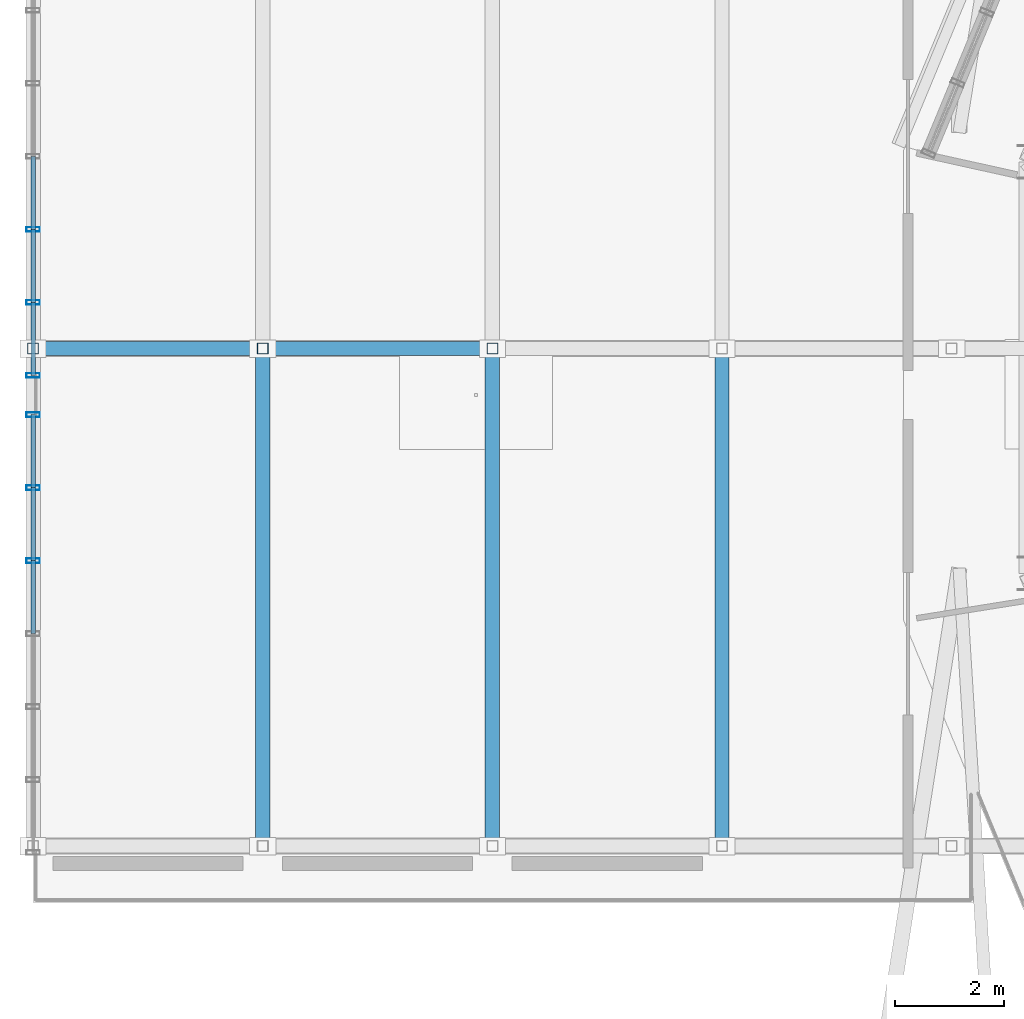
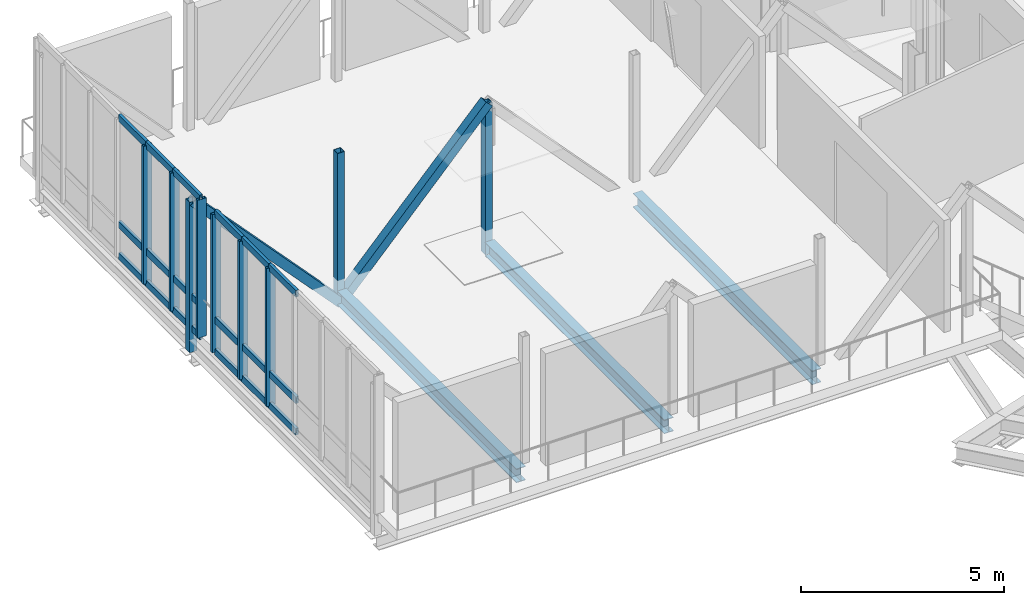
# One storey, part 48 of 139: 29 members, 3 beams, 2 elements without a shape of their own.
"""IFC4 building model written with IfcOpenShell, lengths in metres."""

from ifc_helpers import new_model, si_unit, derived_unit, direction, frame, origin, origin_2d, place, context, subcontext, project, spatial, hollow_rectangle, i_section, extrude, material, layer, layer_set, material_profile, profile_set, type_object, element, aggregate, save


model = new_model("IFC4")

# Units and contexts
model_context = context("Model", 3, precision=1e-05, world=origin(), true_north=direction((0.0, 1.0)))
body_context = subcontext(model_context, "Body", "Model", "MODEL_VIEW")
ifc_project = project(units=[si_unit("LENGTHUNIT", "METRE"), si_unit("AREAUNIT", "SQUARE_METRE"), si_unit("VOLUMEUNIT", "CUBIC_METRE"), si_unit("PLANEANGLEUNIT", "RADIAN"), si_unit("MASSUNIT", "GRAM", prefix="KILO"), derived_unit("THERMALTRANSMITTANCEUNIT", [(si_unit("MASSUNIT", "GRAM", prefix="KILO"), 1), (si_unit("TIMEUNIT", "SECOND"), -3), (si_unit("THERMODYNAMICTEMPERATUREUNIT", "KELVIN"), -1)])], contexts=[model_context])

# Site, building, storey
site_placement = place(None, origin())
site = spatial("IfcSite", under=ifc_project, at=site_placement, CompositionType="ELEMENT")
building_placement = place(site_placement, origin())
building = spatial("IfcBuilding", under=site, at=building_placement, Name="Makaiwela Harbour Ferry Terminal", CompositionType="ELEMENT")
storey_placement = place(building_placement, frame((0.0, 0.0, 5.10009765625)))
storey = spatial("IfcBuildingStorey", under=building, at=storey_placement, Name="L01", CompositionType="ELEMENT", Elevation=5.10009765625)

# Curtain wall, members
ifc_material_1 = material(Name="Marine anodised aluminium 6063-T6", Category="aluminium")
ifc_layer = layer(ifc_material_1, 0.199951171875)
ifc_layer_set = layer_set([ifc_layer], Name="Marine anodised aluminium 6063-T6")
curtain_wall_type = type_object("IfcCurtainWallType", Name="ENV-CW-22", PredefinedType="USERDEFINED", material=ifc_layer_set)
curtain_wall_1_placement = place(storey_placement, origin())
curtain_wall_1 = element("IfcCurtainWall", 1, at=curtain_wall_1_placement, inside=storey, type_object=curtain_wall_type, Name="Unitised Curtain Wall CWA-136", ObjectType="UNITIZED CURTAIN WALL", PredefinedType="USERDEFINED")
ifc_material_profile_1 = material_profile(ifc_material_1, hollow_rectangle(XDim=0.0849609375, YDim=0.25, WallThickness=0.0048828125, at=origin_2d()), Name="CWM-250X85")
ifc_profile_set_1 = profile_set([ifc_material_profile_1], Name="Marine anodised aluminium 6063-T6")
member_type_1 = type_object("IfcMemberType", Name="CW-MUL-250", PredefinedType="MULLION", material=ifc_profile_set_1)
member_1_placement = place(storey_placement, frame((0.0, 64.570068359375, 0.0), z_axis=(0.0, 0.0, 1.0), x_axis=(0.0, 1.0, 0.0)))
member_1 = element("IfcMember", 2, at=member_1_placement, type_object=member_type_1, Name="Curtain Wall Mullion CWA-136-5", PredefinedType="MULLION", context=body_context, shape_type="SweptSolid", body=[
    extrude(hollow_rectangle(XDim=0.0849609375, YDim=0.25, WallThickness=0.0048828125, at=origin_2d()), origin(), (0.0, 0.0, 1.0), 4.14990234375),
])
member_2_placement = place(storey_placement, frame((0.0, 65.905029296875, 0.0), z_axis=(0.0, 0.0, 1.0), x_axis=(0.0, 1.0, 0.0)))
member_2 = element("IfcMember", 3, at=member_2_placement, type_object=member_type_1, Name="Curtain Wall Mullion CWA-136-6", PredefinedType="MULLION", context=body_context, shape_type="SweptSolid", body=[
    extrude(hollow_rectangle(XDim=0.0849609375, YDim=0.25, WallThickness=0.0048828125, at=origin_2d()), origin(), (0.0, 0.0, 1.0), 4.14990234375),
])
member_3_placement = place(storey_placement, frame((0.0, 67.239990234375, 0.0), z_axis=(0.0, 0.0, 1.0), x_axis=(0.0, 1.0, 0.0)))
member_3 = element("IfcMember", 4, at=member_3_placement, type_object=member_type_1, Name="Curtain Wall Mullion CWA-136-7", PredefinedType="MULLION", context=body_context, shape_type="SweptSolid", body=[
    extrude(hollow_rectangle(XDim=0.0849609375, YDim=0.25, WallThickness=0.0048828125, at=origin_2d()), origin(), (0.0, 0.0, 1.0), 4.14990234375),
])

curtain_wall_2_placement = place(storey_placement, origin())
curtain_wall_2 = element("IfcCurtainWall", 5, at=curtain_wall_2_placement, inside=storey, type_object=curtain_wall_type, Name="Unitised Curtain Wall CWA-137", ObjectType="UNITIZED CURTAIN WALL", PredefinedType="USERDEFINED")
member_4_placement = place(storey_placement, frame((0.0, 67.9599609375, 0.0), z_axis=(0.0, 0.0, 1.0), x_axis=(0.0, 1.0, 0.0)))
member_4 = element("IfcMember", 6, at=member_4_placement, type_object=member_type_1, Name="Curtain Wall Mullion CWA-137-1", PredefinedType="MULLION", context=body_context, shape_type="SweptSolid", body=[
    extrude(hollow_rectangle(XDim=0.0849609375, YDim=0.25, WallThickness=0.0048828125, at=origin_2d()), origin(), (0.0, 0.0, 1.0), 4.14990234375),
])
member_5_placement = place(storey_placement, frame((0.0, 69.294921875, 0.0), z_axis=(0.0, 0.0, 1.0), x_axis=(0.0, 1.0, 0.0)))
member_5 = element("IfcMember", 7, at=member_5_placement, type_object=member_type_1, Name="Curtain Wall Mullion CWA-137-2", PredefinedType="MULLION", context=body_context, shape_type="SweptSolid", body=[
    extrude(hollow_rectangle(XDim=0.0849609375, YDim=0.25, WallThickness=0.0048828125, at=origin_2d()), origin(), (0.0, 0.0, 1.0), 4.14990234375),
])
member_6_placement = place(storey_placement, frame((0.0, 70.6298828125, 0.0), z_axis=(0.0, 0.0, 1.0), x_axis=(0.0, 1.0, 0.0)))
member_6 = element("IfcMember", 8, at=member_6_placement, type_object=member_type_1, Name="Curtain Wall Mullion CWA-137-3", PredefinedType="MULLION", context=body_context, shape_type="SweptSolid", body=[
    extrude(hollow_rectangle(XDim=0.0849609375, YDim=0.25, WallThickness=0.0048828125, at=origin_2d()), origin(), (0.0, 0.0, 1.0), 4.14990234375),
])

# Member
ifc_material_profile_2 = material_profile(ifc_material_1, hollow_rectangle(XDim=0.0849609375, YDim=0.199951171875, WallThickness=0.0048828125, at=origin_2d()), Name="CWT-200X85")
ifc_profile_set_2 = profile_set([ifc_material_profile_2], Name="Marine anodised aluminium 6063-T6")
member_type_2 = type_object("IfcMemberType", Name="CW-TRN-200", PredefinedType="USERDEFINED", material=ifc_profile_set_2)
member_7_placement = place(storey_placement, frame((0.0, 63.235107421875, 0.0), z_axis=(0.0, 1.0, 0.0), x_axis=(-1.0, 0.0, 0.0)))
member_7 = element("IfcMember", 9, at=member_7_placement, type_object=member_type_2, Name="Curtain Wall Transom CWA-136-4-1", ObjectType="TRANSOM", PredefinedType="USERDEFINED", context=body_context, shape_type="SweptSolid", body=[
    extrude(hollow_rectangle(XDim=0.0849609375, YDim=0.199951171875, WallThickness=0.0048828125, at=origin_2d()), origin(), (0.0, 0.0, 1.0), 1.3349609375),
])

member_8_placement = place(storey_placement, frame((0.0, 63.235107421875, 0.949951171875), z_axis=(0.0, 1.0, 0.0), x_axis=(-1.0, 0.0, 0.0)))
member_8 = element("IfcMember", 10, at=member_8_placement, type_object=member_type_2, Name="Curtain Wall Transom CWA-136-4-2", ObjectType="TRANSOM", PredefinedType="USERDEFINED", context=body_context, shape_type="SweptSolid", body=[
    extrude(hollow_rectangle(XDim=0.0849609375, YDim=0.199951171875, WallThickness=0.0048828125, at=origin_2d()), origin(), (0.0, 0.0, 1.0), 1.3349609375),
])

member_9_placement = place(storey_placement, frame((0.0, 63.235107421875, 4.14990234375), z_axis=(0.0, 1.0, 0.0), x_axis=(-1.0, 0.0, 0.0)))
member_9 = element("IfcMember", 11, at=member_9_placement, type_object=member_type_2, Name="Curtain Wall Transom CWA-136-4-3", ObjectType="TRANSOM", PredefinedType="USERDEFINED", context=body_context, shape_type="SweptSolid", body=[
    extrude(hollow_rectangle(XDim=0.0849609375, YDim=0.199951171875, WallThickness=0.0048828125, at=origin_2d()), origin(), (0.0, 0.0, 1.0), 1.3349609375),
])

member_10_placement = place(storey_placement, frame((0.0, 64.570068359375, 0.0), z_axis=(0.0, 1.0, 0.0), x_axis=(-1.0, 0.0, 0.0)))
member_10 = element("IfcMember", 12, at=member_10_placement, type_object=member_type_2, Name="Curtain Wall Transom CWA-136-5-1", ObjectType="TRANSOM", PredefinedType="USERDEFINED", context=body_context, shape_type="SweptSolid", body=[
    extrude(hollow_rectangle(XDim=0.0849609375, YDim=0.199951171875, WallThickness=0.0048828125, at=origin_2d()), origin(), (0.0, 0.0, 1.0), 1.3349609375),
])

member_11_placement = place(storey_placement, frame((0.0, 64.570068359375, 0.949951171875), z_axis=(0.0, 1.0, 0.0), x_axis=(-1.0, 0.0, 0.0)))
member_11 = element("IfcMember", 13, at=member_11_placement, type_object=member_type_2, Name="Curtain Wall Transom CWA-136-5-2", ObjectType="TRANSOM", PredefinedType="USERDEFINED", context=body_context, shape_type="SweptSolid", body=[
    extrude(hollow_rectangle(XDim=0.0849609375, YDim=0.199951171875, WallThickness=0.0048828125, at=origin_2d()), origin(), (0.0, 0.0, 1.0), 1.3349609375),
])

member_12_placement = place(storey_placement, frame((0.0, 64.570068359375, 4.14990234375), z_axis=(0.0, 1.0, 0.0), x_axis=(-1.0, 0.0, 0.0)))
member_12 = element("IfcMember", 14, at=member_12_placement, type_object=member_type_2, Name="Curtain Wall Transom CWA-136-5-3", ObjectType="TRANSOM", PredefinedType="USERDEFINED", context=body_context, shape_type="SweptSolid", body=[
    extrude(hollow_rectangle(XDim=0.0849609375, YDim=0.199951171875, WallThickness=0.0048828125, at=origin_2d()), origin(), (0.0, 0.0, 1.0), 1.3349609375),
])

member_13_placement = place(storey_placement, frame((0.0, 65.905029296875, 0.0), z_axis=(0.0, 1.0, 0.0), x_axis=(-1.0, 0.0, 0.0)))
member_13 = element("IfcMember", 15, at=member_13_placement, type_object=member_type_2, Name="Curtain Wall Transom CWA-136-6-1", ObjectType="TRANSOM", PredefinedType="USERDEFINED", context=body_context, shape_type="SweptSolid", body=[
    extrude(hollow_rectangle(XDim=0.0849609375, YDim=0.199951171875, WallThickness=0.0048828125, at=origin_2d()), origin(), (0.0, 0.0, 1.0), 1.3349609375),
])

member_14_placement = place(storey_placement, frame((0.0, 65.905029296875, 0.949951171875), z_axis=(0.0, 1.0, 0.0), x_axis=(-1.0, 0.0, 0.0)))
member_14 = element("IfcMember", 16, at=member_14_placement, type_object=member_type_2, Name="Curtain Wall Transom CWA-136-6-2", ObjectType="TRANSOM", PredefinedType="USERDEFINED", context=body_context, shape_type="SweptSolid", body=[
    extrude(hollow_rectangle(XDim=0.0849609375, YDim=0.199951171875, WallThickness=0.0048828125, at=origin_2d()), origin(), (0.0, 0.0, 1.0), 1.3349609375),
])

member_15_placement = place(storey_placement, frame((0.0, 65.905029296875, 4.14990234375), z_axis=(0.0, 1.0, 0.0), x_axis=(-1.0, 0.0, 0.0)))
member_15 = element("IfcMember", 17, at=member_15_placement, type_object=member_type_2, Name="Curtain Wall Transom CWA-136-6-3", ObjectType="TRANSOM", PredefinedType="USERDEFINED", context=body_context, shape_type="SweptSolid", body=[
    extrude(hollow_rectangle(XDim=0.0849609375, YDim=0.199951171875, WallThickness=0.0048828125, at=origin_2d()), origin(), (0.0, 0.0, 1.0), 1.3349609375),
])

aggregate(curtain_wall_1, [member_1, member_2, member_3, member_7, member_8, member_9, member_10, member_11, member_12, member_13, member_14, member_15])

member_16_placement = place(storey_placement, frame((0.0, 67.9599609375, 0.0), z_axis=(0.0, 1.0, 0.0), x_axis=(-1.0, 0.0, 0.0)))
member_16 = element("IfcMember", 18, at=member_16_placement, type_object=member_type_2, Name="Curtain Wall Transom CWA-137-1-1", ObjectType="TRANSOM", PredefinedType="USERDEFINED", context=body_context, shape_type="SweptSolid", body=[
    extrude(hollow_rectangle(XDim=0.0849609375, YDim=0.199951171875, WallThickness=0.0048828125, at=origin_2d()), origin(), (0.0, 0.0, 1.0), 1.3349609375),
])

member_17_placement = place(storey_placement, frame((0.0, 67.9599609375, 0.949951171875), z_axis=(0.0, 1.0, 0.0), x_axis=(-1.0, 0.0, 0.0)))
member_17 = element("IfcMember", 19, at=member_17_placement, type_object=member_type_2, Name="Curtain Wall Transom CWA-137-1-2", ObjectType="TRANSOM", PredefinedType="USERDEFINED", context=body_context, shape_type="SweptSolid", body=[
    extrude(hollow_rectangle(XDim=0.0849609375, YDim=0.199951171875, WallThickness=0.0048828125, at=origin_2d()), origin(), (0.0, 0.0, 1.0), 1.3349609375),
])

member_18_placement = place(storey_placement, frame((0.0, 67.9599609375, 4.14990234375), z_axis=(0.0, 1.0, 0.0), x_axis=(-1.0, 0.0, 0.0)))
member_18 = element("IfcMember", 20, at=member_18_placement, type_object=member_type_2, Name="Curtain Wall Transom CWA-137-1-3", ObjectType="TRANSOM", PredefinedType="USERDEFINED", context=body_context, shape_type="SweptSolid", body=[
    extrude(hollow_rectangle(XDim=0.0849609375, YDim=0.199951171875, WallThickness=0.0048828125, at=origin_2d()), origin(), (0.0, 0.0, 1.0), 1.3349609375),
])

member_19_placement = place(storey_placement, frame((0.0, 69.294921875, 0.0), z_axis=(0.0, 1.0, 0.0), x_axis=(-1.0, 0.0, 0.0)))
member_19 = element("IfcMember", 21, at=member_19_placement, type_object=member_type_2, Name="Curtain Wall Transom CWA-137-2-1", ObjectType="TRANSOM", PredefinedType="USERDEFINED", context=body_context, shape_type="SweptSolid", body=[
    extrude(hollow_rectangle(XDim=0.0849609375, YDim=0.199951171875, WallThickness=0.0048828125, at=origin_2d()), origin(), (0.0, 0.0, 1.0), 1.3349609375),
])

member_20_placement = place(storey_placement, frame((0.0, 69.294921875, 0.949951171875), z_axis=(0.0, 1.0, 0.0), x_axis=(-1.0, 0.0, 0.0)))
member_20 = element("IfcMember", 22, at=member_20_placement, type_object=member_type_2, Name="Curtain Wall Transom CWA-137-2-2", ObjectType="TRANSOM", PredefinedType="USERDEFINED", context=body_context, shape_type="SweptSolid", body=[
    extrude(hollow_rectangle(XDim=0.0849609375, YDim=0.199951171875, WallThickness=0.0048828125, at=origin_2d()), origin(), (0.0, 0.0, 1.0), 1.3349609375),
])

member_21_placement = place(storey_placement, frame((0.0, 69.294921875, 4.14990234375), z_axis=(0.0, 1.0, 0.0), x_axis=(-1.0, 0.0, 0.0)))
member_21 = element("IfcMember", 23, at=member_21_placement, type_object=member_type_2, Name="Curtain Wall Transom CWA-137-2-3", ObjectType="TRANSOM", PredefinedType="USERDEFINED", context=body_context, shape_type="SweptSolid", body=[
    extrude(hollow_rectangle(XDim=0.0849609375, YDim=0.199951171875, WallThickness=0.0048828125, at=origin_2d()), origin(), (0.0, 0.0, 1.0), 1.3349609375),
])

member_22_placement = place(storey_placement, frame((0.0, 70.6298828125, 0.0), z_axis=(0.0, 1.0, 0.0), x_axis=(-1.0, 0.0, 0.0)))
member_22 = element("IfcMember", 24, at=member_22_placement, type_object=member_type_2, Name="Curtain Wall Transom CWA-137-3-1", ObjectType="TRANSOM", PredefinedType="USERDEFINED", context=body_context, shape_type="SweptSolid", body=[
    extrude(hollow_rectangle(XDim=0.0849609375, YDim=0.199951171875, WallThickness=0.0048828125, at=origin_2d()), origin(), (0.0, 0.0, 1.0), 1.335205078125),
])

member_23_placement = place(storey_placement, frame((0.0, 70.6298828125, 0.949951171875), z_axis=(0.0, 1.0, 0.0), x_axis=(-1.0, 0.0, 0.0)))
member_23 = element("IfcMember", 25, at=member_23_placement, type_object=member_type_2, Name="Curtain Wall Transom CWA-137-3-2", ObjectType="TRANSOM", PredefinedType="USERDEFINED", context=body_context, shape_type="SweptSolid", body=[
    extrude(hollow_rectangle(XDim=0.0849609375, YDim=0.199951171875, WallThickness=0.0048828125, at=origin_2d()), origin(), (0.0, 0.0, 1.0), 1.335205078125),
])

member_24_placement = place(storey_placement, frame((0.0, 70.6298828125, 4.14990234375), z_axis=(0.0, 1.0, 0.0), x_axis=(-1.0, 0.0, 0.0)))
member_24 = element("IfcMember", 26, at=member_24_placement, type_object=member_type_2, Name="Curtain Wall Transom CWA-137-3-3", ObjectType="TRANSOM", PredefinedType="USERDEFINED", context=body_context, shape_type="SweptSolid", body=[
    extrude(hollow_rectangle(XDim=0.0849609375, YDim=0.199951171875, WallThickness=0.0048828125, at=origin_2d()), origin(), (0.0, 0.0, 1.0), 1.335205078125),
])

aggregate(curtain_wall_2, [member_4, member_5, member_6, member_16, member_17, member_18, member_19, member_20, member_21, member_22, member_23, member_24])

# Members
ifc_material_2 = material(Name="Steel ASTM A500 Grade C", Category="steel")
ifc_material_profile_3 = material_profile(ifc_material_2, hollow_rectangle(XDim=0.25390625, YDim=0.25390625, WallThickness=0.0146484375, at=origin_2d()), Name="HSS10X10X5/8")
ifc_profile_set_3 = profile_set([ifc_material_profile_3], Name="Steel ASTM A500 Grade C")
member_type_3 = type_object("IfcMemberType", Name="STR-BRC-HSS10", PredefinedType="BRACE", material=ifc_profile_set_3)
for number, where, z_axis, x_axis, name in (
    (27, (8.39990234375, 68.449951171875, 3.814453125), (-0.680693892275, 0.0, -0.732567966144), (0.0, -1.0, 0.0), "Structural Member BR-01"),
    (28, (4.199951171875, 68.449951171875, -0.70556640625), (-0.680693892275, 0.0, 0.732567966144), (0.0, -1.0, 0.0), "Structural Member BR-01"),
):
    element("IfcMember", number, at=place(storey_placement, frame(where, z_axis=z_axis, x_axis=x_axis)), inside=storey, type_object=member_type_3, Name=name, PredefinedType="BRACE", context=body_context, shape_type="SweptSolid", body=[
        extrude(hollow_rectangle(XDim=0.25390625, YDim=0.25390625, WallThickness=0.0146484375, at=origin_2d()), origin(), (0.0, 0.0, 1.0), 6.170166015625),
    ])

# Beams
ifc_material_3 = material(Name="Steel ASTM A992 Grade 50", Category="steel")
ifc_material_profile_4 = material_profile(ifc_material_3, i_section(OverallWidth=0.260986328125, OverallDepth=0.4189453125, WebThickness=0.01171875, FlangeThickness=0.019287109375, at=origin_2d()), Name="W16X77")
ifc_profile_set_4 = profile_set([ifc_material_profile_4], Name="Steel ASTM A992 Grade 50")
beam_type = type_object("IfcBeamType", Name="STR-JST-W16X77", PredefinedType="JOIST", material=ifc_profile_set_4)
for number, where, z_axis, x_axis, name in (
    (29, (12.60009765625, 59.490966796875, -0.489501953125), (0.0, 1.0, 0.0), (-1.0, 0.0, 0.0), "Structural Beam J-02"),
    (30, (8.39990234375, 59.490966796875, -0.489501953125), (0.0, 1.0, 0.0), (-1.0, 0.0, 0.0), "Structural Beam J-02"),
    (31, (4.199951171875, 59.490966796875, -0.489501953125), (0.0, 1.0, 0.0), (-1.0, 0.0, 0.0), "Structural Beam J-02"),
):
    element("IfcBeam", number, at=place(storey_placement, frame(where, z_axis=z_axis, x_axis=x_axis)), inside=storey, type_object=beam_type, Name=name, PredefinedType="JOIST", context=body_context, shape_type="SweptSolid", body=[
        extrude(i_section(OverallWidth=0.260986328125, OverallDepth=0.4189453125, WebThickness=0.01171875, FlangeThickness=0.019287109375, at=origin_2d()), origin(), (0.0, 0.0, 1.0), 8.818115234375),
    ])

# Members
ifc_material_profile_5 = material_profile(ifc_material_2, hollow_rectangle(XDim=0.202880859375, YDim=0.202880859375, WallThickness=0.01171875, at=origin_2d()), Name="HSS8X8X1/2")
ifc_profile_set_5 = profile_set([ifc_material_profile_5], Name="Steel ASTM A500 Grade C")
member_type_4 = type_object("IfcMemberType", Name="STR-PST-HSS8", PredefinedType="POST", material=ifc_profile_set_5)
for number, where, z_axis, x_axis, name in (
    (32, (8.39990234375, 68.449951171875, -0.70556640625), (0.0, 0.0, 1.0), (1.0, 0.0, 0.0), "Structural Member PS-01"),
    (33, (4.199951171875, 68.449951171875, -0.70556640625), (0.0, 0.0, 1.0), (1.0, 0.0, 0.0), "Structural Member PS-01"),
    (34, (0.0, 68.449951171875, -0.70556640625), (0.0, 0.0, 1.0), (1.0, 0.0, 0.0), "Structural Member PS-01"),
):
    element("IfcMember", number, at=place(storey_placement, frame(where, z_axis=z_axis, x_axis=x_axis)), inside=storey, type_object=member_type_4, Name=name, PredefinedType="POST", context=body_context, shape_type="SweptSolid", body=[
        extrude(hollow_rectangle(XDim=0.202880859375, YDim=0.202880859375, WallThickness=0.01171875, at=origin_2d()), origin(), (0.0, 0.0, 1.0), 4.52001953125),
    ])

save(model, "model.ifc")
